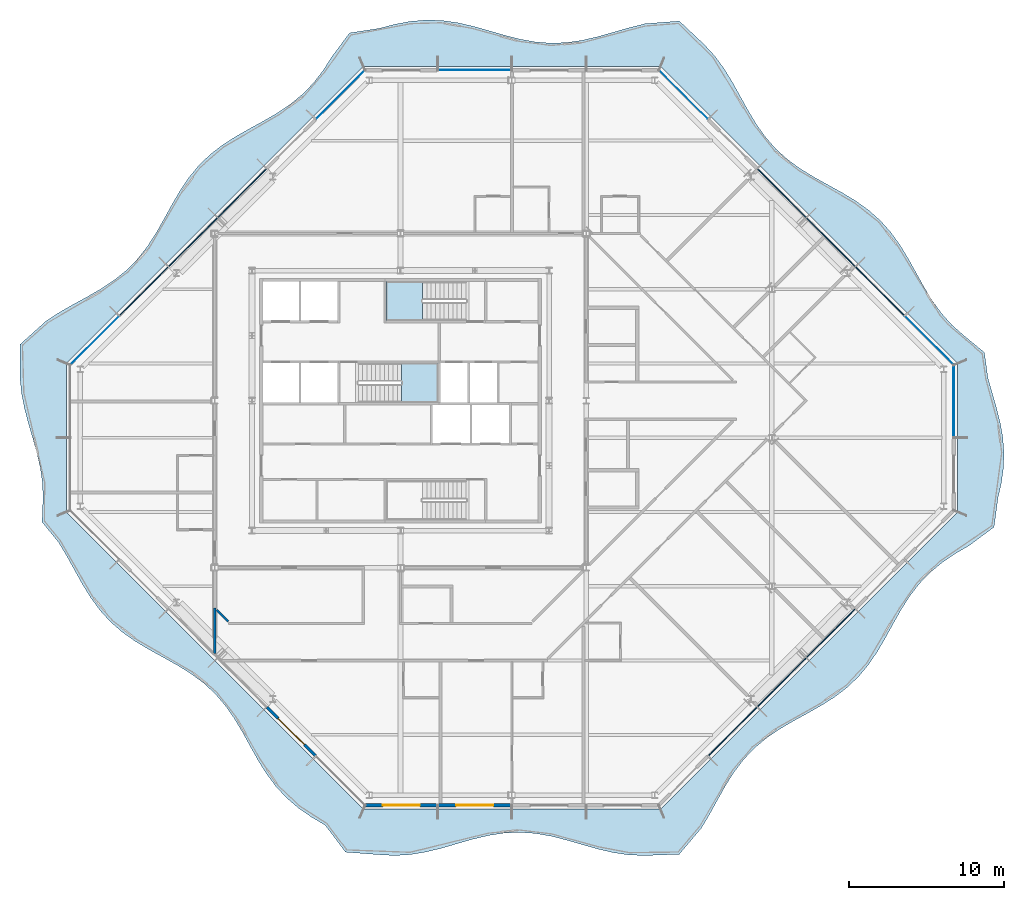
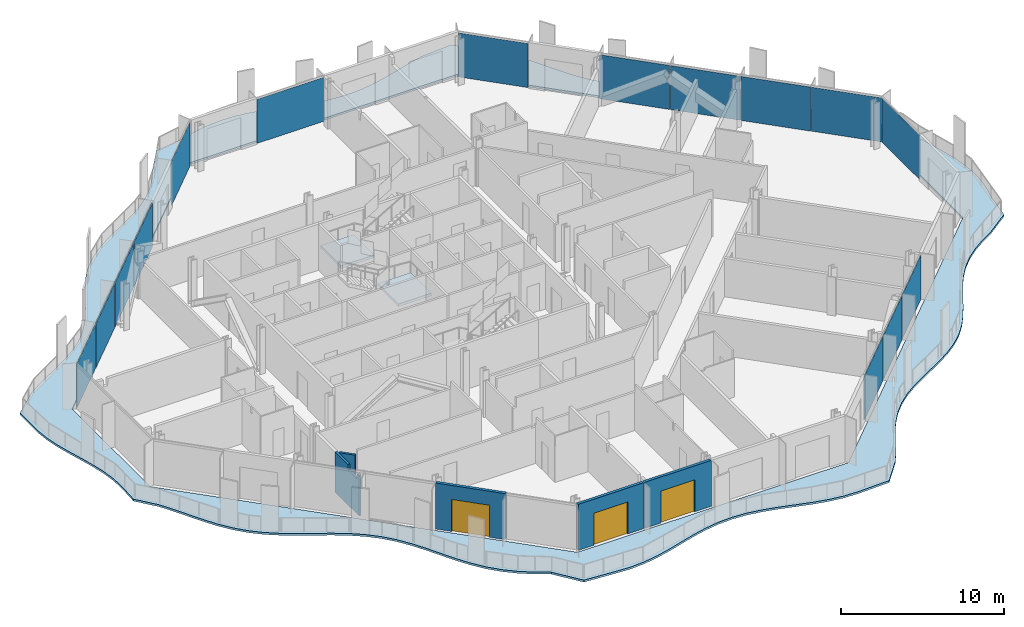
# One storey, part 6 of 17: 15 plates, 5 walls, 3 doors, 3 slabs, 3 openings, 7 elements without a shape of their own.
"""IFC4 building model written with IfcOpenShell, lengths in metres."""

from ifc_helpers import new_model, si_unit, direction, frame, frame_2d, origin, origin_2d, place, context, subcontext, project, spatial, polyline, rectangle, outline, extrude, material, layer, layer_set, type_object, element, fill, aggregate, save


model = new_model("IFC4")

# Units and contexts
model_context = context("Model", 3, precision=1e-05, world=origin(), true_north=direction((0.0, 1.0)))
body_context = subcontext(model_context, "Body", "Model", "MODEL_VIEW")
ifc_project = project(units=[si_unit("LENGTHUNIT", "METRE"), si_unit("AREAUNIT", "SQUARE_METRE"), si_unit("VOLUMEUNIT", "CUBIC_METRE"), si_unit("PLANEANGLEUNIT", "RADIAN"), si_unit("MASSUNIT", "GRAM", prefix="KILO")], contexts=[model_context])

# Site, building, storey
site_placement = place(None, origin())
site = spatial("IfcSite", under=ifc_project, at=site_placement, CompositionType="ELEMENT")
building_placement = place(site_placement, origin())
building = spatial("IfcBuilding", under=site, at=building_placement, Name="Cairn Pilgrim Tower", CompositionType="ELEMENT")
storey_placement = place(building_placement, frame((0.0, 0.0, 225.0)))
storey = spatial("IfcBuildingStorey", under=building, at=storey_placement, Name="L57", CompositionType="ELEMENT", Elevation=225.0)

# Slab
ifc_material_1 = material(Name="Concrete C35/45", Category="concrete")
ifc_layer_1 = layer(ifc_material_1, 0.14990234375)
ifc_layer_set_1 = layer_set([ifc_layer_1], Name="BALCONY SLAB 150 CONCRETE C35/45")
slab_type_1 = type_object("IfcSlabType", Name="BALCONY SLAB 150 CONCRETE C35/45", PredefinedType="FLOOR", material=ifc_layer_set_1)
slab_1_placement = place(storey_placement, frame((0.0, 0.0, -0.14990234375)))
element("IfcSlab", 1, at=slab_1_placement, inside=storey, type_object=slab_type_1, Name="Balcony slab BS-1", PredefinedType="FLOOR", context=body_context, shape_type="SweptSolid", body=[
    extrude(outline(polyline([(2.335205078125, -25.04248046875), (3.6484375, -26.7802734375), (5.810546875, -26.944091796875), (6.821044921875, -27.0), (7.83154296875, -26.939208984375), (8.842041015625, -26.771484375), (9.8525390625, -26.522705078125), (10.863037109375, -26.2314453125), (11.873779296875, -25.943115234375), (12.88427734375, -25.702392578125), (13.894775390625, -25.546875), (14.9052734375, -25.500732421875), (15.915771484375, -25.57080078125), (16.92626953125, -25.74658203125), (17.936767578125, -26.000732421875), (18.947265625, -26.29345703125), (19.9580078125, -26.579345703125), (20.968505859375, -26.814208984375), (21.97900390625, -26.96142578125), (22.989501953125, -26.998046875), (25.208740234375, -26.918212890625), (26.6455078125, -25.223388671875), (27.1748046875, -24.330322265625), (27.67919921875, -23.41259765625), (28.1904296875, -22.501708984375), (28.739501953125, -21.62841796875), (29.35107421875, -20.81787109375), (30.040771484375, -20.085205078125), (30.811767578125, -19.433837890625), (31.65478515625, -18.854736328125), (32.549560546875, -18.3271484375), (33.4677734375, -17.8232421875), (34.377685546875, -17.31103515625), (35.24853515625, -16.759521484375), (36.0556640625, -16.144775390625), (36.78466796875, -15.451416015625), (37.432373046875, -14.6767578125), (38.0087890625, -13.8310546875), (38.53466796875, -12.9345703125), (39.0380859375, -12.015869140625), (39.5517578125, -11.107177734375), (40.10546875, -10.23876953125), (40.7236328125, -9.434814453125), (41.420654296875, -8.70947265625), (42.19873046875, -8.0654296875), (43.04736328125, -7.49169921875), (43.9453125, -6.967529296875), (45.5537109375, -5.77490234375), (45.81982421875, -3.840087890625), (46.033935546875, -2.8798828125), (46.166259765625, -1.919921875), (46.19775390625, -0.9599609375), (46.12451171875, 0.0), (45.956298828125, 0.9599609375), (45.717041015625, 1.919921875), (45.4404296875, 2.8798828125), (45.1650390625, 3.840087890625), (44.9296875, 5.516357421875), (43.59326171875, 6.615478515625), (42.83837890625, 7.282958984375), (42.165283203125, 8.031982421875), (41.56787109375, 8.85693359375), (41.02880859375, 9.739990234375), (40.521484375, 10.655029296875), (40.0146484375, 11.5703125), (39.476806640625, 12.45458984375), (38.88134765625, 13.28125), (38.210205078125, 14.032470703125), (37.45751953125, 14.701904296875), (36.629638671875, 15.296142578125), (35.744384765625, 15.833251953125), (34.82861328125, 16.33984375), (33.9140625, 16.847412109375), (33.031982421875, 17.387451171875), (32.208251953125, 17.986083984375), (31.460693359375, 18.660888671875), (30.794921875, 19.4169921875), (30.20361328125, 20.248046875), (29.668701171875, 21.13525390625), (29.16259765625, 22.051513671875), (28.654296875, 22.96533203125), (28.112060546875, 23.845458984375), (27.51025390625, 24.666015625), (26.83203125, 25.409912109375), (25.2138671875, 26.930419921875), (22.989501953125, 26.755615234375), (21.97900390625, 26.502197265625), (20.968505859375, 26.20947265625), (19.9580078125, 25.92333984375), (18.947265625, 25.687744140625), (17.936767578125, 25.53955078125), (16.92626953125, 25.501953125), (15.915771484375, 25.580322265625), (14.9052734375, 25.762939453125), (13.894775390625, 26.021240234375), (12.88427734375, 26.315185546875), (11.873779296875, 26.598876953125), (10.863037109375, 26.828369140625), (9.8525390625, 26.968017578125), (8.842041015625, 26.99609375), (7.83154296875, 26.907958984375), (6.821044921875, 26.7177734375), (5.810546875, 26.454833984375), (3.9052734375, 26.16015625), (2.759033203125, 24.61865234375), (2.20556640625, 23.75), (1.58740234375, 22.946044921875), (0.890380859375, 22.220703125), (0.112548828125, 21.576171875), (-0.73583984375, 21.00244140625), (-1.634033203125, 20.478271484375), (-2.552734375, 19.97509765625), (-3.46044921875, 19.46044921875), (-4.326416015625, 18.904296875), (-5.127197265625, 18.282958984375), (-5.848876953125, 17.582275390625), (-6.48974609375, 16.801025390625), (-7.060791015625, 15.94970703125), (-7.583251953125, 15.050048828125), (-8.08642578125, 14.131103515625), (-8.602294921875, 13.224609375), (-9.160888671875, 12.361083984375), (-9.785888671875, 11.5634765625), (-10.489990234375, 10.845703125), (-11.27490234375, 10.208251953125), (-12.12890625, 9.639892578125), (-13.030029296875, 9.118896484375), (-13.94921875, 8.615966796875), (-14.854248046875, 8.0986328125), (-15.71533203125, 7.53759765625), (-17.383056640625, 6.03564453125), (-17.389892578125, 3.840087890625), (-17.292724609375, 2.8798828125), (-17.105224609375, 1.919921875), (-16.85400390625, 0.9599609375), (-16.573974609375, 0.0), (-16.3046875, -0.9599609375), (-16.083740234375, -1.919921875), (-15.9423828125, -2.8798828125), (-15.900634765625, -3.840087890625), (-15.9638671875, -5.44775390625), (-14.91455078125, -6.73681640625), (-14.37939453125, -7.623779296875), (-13.87353515625, -8.5400390625), (-13.364990234375, -9.453857421875), (-12.822998046875, -10.334228515625), (-12.221435546875, -11.15478515625), (-11.543212890625, -11.898681640625), (-10.783447265625, -12.56103515625), (-9.949462890625, -13.1494140625), (-9.060546875, -13.6826171875), (-8.1435546875, -14.18798828125), (-7.230712890625, -14.697265625), (-6.3525390625, -15.241455078125), (-5.53515625, -15.84619140625), (-4.794921875, -16.528076171875), (-4.135986328125, -17.29150390625), (-3.550537109375, -18.12841796875), (-3.019287109375, -19.019287109375), (-2.514404296875, -19.936767578125), (-2.00439453125, -20.848876953125), (-1.457763671875, -21.724609375), (-0.849853515625, -22.538818359375), (-0.164306640625, -23.275390625), (0.6025390625, -23.9306640625), (1.4423828125, -24.51318359375), (2.335205078125, -25.04248046875)]), holes=[polyline([(24.0, -24.0), (4.800048828125, -24.0), (-14.39990234375, -4.800048828125), (-14.39990234375, 4.800048828125), (4.800048828125, 24.0), (24.0, 24.0), (43.199951171875, 4.800048828125), (43.199951171875, -4.800048828125), (24.0, -24.0)])]), origin(), (0.0, 0.0, 1.0), 0.14990234375),
])

# Curtain wall, plates
ifc_material_2 = material(Name="Aluminium alloy 6063-T6 bronze anodised with Bronze tinted laminated low-E glass 8+16+8.8", Category="aluminium")
curtain_wall_type_1 = type_object("IfcCurtainWallType", Name="CHAMFER CORNER CURTAIN WALL", PredefinedType="NOTDEFINED", material=ifc_material_2)
curtain_wall_1_placement = place(storey_placement, origin())
curtain_wall_1 = element("IfcCurtainWall", 2, at=curtain_wall_1_placement, inside=storey, type_object=curtain_wall_type_1, Name="Chamfer Corner Curtain Wall SE", PredefinedType="NOTDEFINED")
ifc_material_3 = material(Name="Bronze anodised aluminium spandrel panel with mineral wool insulation", Category="aluminium")
ifc_layer_2 = layer(ifc_material_3, 0.06005859375)
ifc_layer_set_2 = layer_set([ifc_layer_2], Name="SPANDREL PANEL 4431x3300")
plate_type_1 = type_object("IfcPlateType", Name="SPANDREL PANEL 4431x3300", PredefinedType="CURTAIN_PANEL", material=ifc_layer_set_2)
plate_1_placement = place(storey_placement, frame((28.659912109375, -18.986572265625, 0.0), z_axis=(0.0, 0.0, 1.0), x_axis=(0.707106781187, 0.707106781187, 0.0)))
plate_1 = element("IfcPlate", 3, at=plate_1_placement, type_object=plate_type_1, Name="Spandrel Panel SE2-1", PredefinedType="CURTAIN_PANEL", context=body_context, shape_type="SweptSolid", body=[
    extrude(rectangle(XDim=4.430908203125, YDim=0.06005859375, at=origin_2d()), origin(), (0.0, 0.0, 1.0), 3.300048828125),
])
plate_2_placement = place(storey_placement, frame((31.83544921875, -15.81103515625, 0.0), z_axis=(0.0, 0.0, 1.0), x_axis=(0.707106781187, 0.707106781187, 0.0)))
plate_2 = element("IfcPlate", 4, at=plate_2_placement, type_object=plate_type_1, Name="Spandrel Panel SE3-1", PredefinedType="CURTAIN_PANEL", context=body_context, shape_type="SweptSolid", body=[
    extrude(rectangle(XDim=4.430908203125, YDim=0.06005859375, at=origin_2d()), origin(), (0.0, 0.0, 1.0), 3.300048828125),
])
plate_3_placement = place(storey_placement, frame((35.010986328125, -12.635498046875, 0.0), z_axis=(0.0, 0.0, 1.0), x_axis=(0.707106781187, 0.707106781187, 0.0)))
plate_3 = element("IfcPlate", 5, at=plate_3_placement, type_object=plate_type_1, Name="Spandrel Panel SE4-1", PredefinedType="CURTAIN_PANEL", context=body_context, shape_type="SweptSolid", body=[
    extrude(rectangle(XDim=4.430908203125, YDim=0.06005859375, at=origin_2d()), origin(), (0.0, 0.0, 1.0), 3.300048828125),
])
aggregate(curtain_wall_1, [plate_1, plate_2, plate_3])

curtain_wall_2_placement = place(storey_placement, origin())
curtain_wall_2 = element("IfcCurtainWall", 6, at=curtain_wall_2_placement, inside=storey, type_object=curtain_wall_type_1, Name="Chamfer Corner Curtain Wall NE", PredefinedType="NOTDEFINED")
plate_4_placement = place(storey_placement, frame((38.1865234375, 9.459716796875, 0.0), z_axis=(0.0, 0.0, 1.0), x_axis=(-0.707106781187, 0.707106781187, 0.0)))
plate_4 = element("IfcPlate", 7, at=plate_4_placement, type_object=plate_type_1, Name="Spandrel Panel NE2-1", PredefinedType="CURTAIN_PANEL", context=body_context, shape_type="SweptSolid", body=[
    extrude(rectangle(XDim=4.430908203125, YDim=0.06005859375, at=origin_2d()), origin(), (0.0, 0.0, 1.0), 3.300048828125),
])
plate_5_placement = place(storey_placement, frame((35.010986328125, 12.635498046875, 0.0), z_axis=(0.0, 0.0, 1.0), x_axis=(-0.707106781187, 0.707106781187, 0.0)))
plate_5 = element("IfcPlate", 8, at=plate_5_placement, type_object=plate_type_1, Name="Spandrel Panel NE3-1", PredefinedType="CURTAIN_PANEL", context=body_context, shape_type="SweptSolid", body=[
    extrude(rectangle(XDim=4.430908203125, YDim=0.06005859375, at=origin_2d()), origin(), (0.0, 0.0, 1.0), 3.300048828125),
])
plate_6_placement = place(storey_placement, frame((31.83544921875, 15.81103515625, 0.0), z_axis=(0.0, 0.0, 1.0), x_axis=(-0.707106781187, 0.707106781187, 0.0)))
plate_6 = element("IfcPlate", 9, at=plate_6_placement, type_object=plate_type_1, Name="Spandrel Panel NE4-1", PredefinedType="CURTAIN_PANEL", context=body_context, shape_type="SweptSolid", body=[
    extrude(rectangle(XDim=4.430908203125, YDim=0.06005859375, at=origin_2d()), origin(), (0.0, 0.0, 1.0), 3.300048828125),
])

curtain_wall_3_placement = place(storey_placement, origin())
curtain_wall_3 = element("IfcCurtainWall", 10, at=curtain_wall_3_placement, inside=storey, type_object=curtain_wall_type_1, Name="Chamfer Corner Curtain Wall NW", PredefinedType="NOTDEFINED")
plate_7_placement = place(storey_placement, frame((-3.035400390625, 15.81103515625, 0.0), z_axis=(0.0, 0.0, 1.0), x_axis=(-0.707106781187, -0.707106781187, 0.0)))
plate_7 = element("IfcPlate", 11, at=plate_7_placement, type_object=plate_type_1, Name="Spandrel Panel NW3-1", PredefinedType="CURTAIN_PANEL", context=body_context, shape_type="SweptSolid", body=[
    extrude(rectangle(XDim=4.430908203125, YDim=0.06005859375, at=origin_2d()), origin(), (0.0, 0.0, 1.0), 3.300048828125),
])
plate_8_placement = place(storey_placement, frame((-6.2109375, 12.635498046875, 0.0), z_axis=(0.0, 0.0, 1.0), x_axis=(-0.707106781187, -0.707106781187, 0.0)))
plate_8 = element("IfcPlate", 12, at=plate_8_placement, type_object=plate_type_1, Name="Spandrel Panel NW4-1", PredefinedType="CURTAIN_PANEL", context=body_context, shape_type="SweptSolid", body=[
    extrude(rectangle(XDim=4.430908203125, YDim=0.06005859375, at=origin_2d()), origin(), (0.0, 0.0, 1.0), 3.300048828125),
])
plate_9_placement = place(storey_placement, frame((-9.38671875, 9.459716796875, 0.0), z_axis=(0.0, 0.0, 1.0), x_axis=(-0.707106781187, -0.707106781187, 0.0)))
plate_9 = element("IfcPlate", 13, at=plate_9_placement, type_object=plate_type_1, Name="Spandrel Panel NW5-1", PredefinedType="CURTAIN_PANEL", context=body_context, shape_type="SweptSolid", body=[
    extrude(rectangle(XDim=4.430908203125, YDim=0.06005859375, at=origin_2d()), origin(), (0.0, 0.0, 1.0), 3.300048828125),
])

# Stair, slab
ifc_material_4 = material(Name="Concrete C32/40", Category="concrete")
stair_type = type_object("IfcStairType", Name="EXIT STAIR 1200", PredefinedType="HALF_TURN_STAIR", material=ifc_material_4)
stair_1_placement = place(storey_placement, origin())
stair_1 = element("IfcStair", 14, at=stair_1_placement, inside=storey, type_object=stair_type, Name="L57 Exit Stair B", PredefinedType="HALF_TURN_STAIR")
ifc_layer_3 = layer(ifc_material_4, 0.199951171875)
ifc_layer_set_3 = layer_set([ifc_layer_3], Name="STAIR LANDING 200")
slab_type_2 = type_object("IfcSlabType", Name="STAIR LANDING 200", PredefinedType="LANDING", material=ifc_layer_set_3)
slab_2_placement = place(storey_placement, frame((0.0, 0.0, 1.60009765625)))
slab_2 = element("IfcSlab", 15, at=slab_2_placement, type_object=slab_type_2, Name="ST-B landing 1", PredefinedType="LANDING", context=body_context, shape_type="SweptSolid", body=[
    extrude(outline(polyline([(7.27490234375, 2.27490234375), (9.625, 2.27490234375), (9.625, 4.824951171875), (7.27490234375, 4.824951171875), (7.27490234375, 2.27490234375)])), origin(), (0.0, 0.0, 1.0), 0.199951171875),
])
aggregate(stair_1, [slab_2])

stair_2_placement = place(storey_placement, origin())
stair_2 = element("IfcStair", 16, at=stair_2_placement, inside=storey, type_object=stair_type, Name="L57 Exit Stair C", PredefinedType="HALF_TURN_STAIR")
slab_3_placement = place(storey_placement, frame((0.0, 0.0, 1.60009765625)))
slab_3 = element("IfcSlab", 17, at=slab_3_placement, type_object=slab_type_2, Name="ST-C landing 1", PredefinedType="LANDING", context=body_context, shape_type="SweptSolid", body=[
    extrude(outline(polyline([(8.625, 10.10009765625), (6.27490234375, 10.10009765625), (6.27490234375, 7.574951171875), (8.625, 7.574951171875), (8.625, 10.10009765625)])), origin(), (0.0, 0.0, 1.0), 0.199951171875),
])
aggregate(stair_2, [slab_3])

# Plate
ifc_material_5 = material(Name="Bronze tinted laminated low-E glass 8+16+8.8", Category="glass")
ifc_layer_4 = layer(ifc_material_5, 0.033935546875)
ifc_layer_set_4 = layer_set([ifc_layer_4], Name="VISION GLAZING 4421x3300")
plate_type_2 = type_object("IfcPlateType", Name="VISION GLAZING 4421x3300", PredefinedType="CURTAIN_PANEL", material=ifc_layer_set_4)
plate_10_placement = place(storey_placement, frame((41.358642578125, 6.287841796875, 0.0), z_axis=(0.0, 0.0, 1.0), x_axis=(-0.707106781187, 0.707106781187, 0.0)))
plate_10 = element("IfcPlate", 18, at=plate_10_placement, type_object=plate_type_2, Name="Vision Glazing NE1-1", PredefinedType="CURTAIN_PANEL", context=body_context, shape_type="SweptSolid", body=[
    extrude(rectangle(XDim=4.4208984375, YDim=0.033935546875, at=origin_2d()), origin(), (0.0, 0.0, 1.0), 3.300048828125),
])

plate_11_placement = place(storey_placement, frame((25.48779296875, 22.15869140625, 0.0), z_axis=(0.0, 0.0, 1.0), x_axis=(-0.707106781187, 0.707106781187, 0.0)))
plate_11 = element("IfcPlate", 19, at=plate_11_placement, type_object=plate_type_2, Name="Vision Glazing NE6-1", PredefinedType="CURTAIN_PANEL", context=body_context, shape_type="SweptSolid", body=[
    extrude(rectangle(XDim=4.4208984375, YDim=0.033935546875, at=origin_2d()), origin(), (0.0, 0.0, 1.0), 3.300048828125),
])

aggregate(curtain_wall_2, [plate_10, plate_4, plate_5, plate_6, plate_11])

plate_12_placement = place(storey_placement, frame((3.312255859375, 22.15869140625, 0.0), z_axis=(0.0, 0.0, 1.0), x_axis=(-0.707106781187, -0.707106781187, 0.0)))
plate_12 = element("IfcPlate", 20, at=plate_12_placement, type_object=plate_type_2, Name="Vision Glazing NW1-1", PredefinedType="CURTAIN_PANEL", context=body_context, shape_type="SweptSolid", body=[
    extrude(rectangle(XDim=4.4208984375, YDim=0.033935546875, at=origin_2d()), origin(), (0.0, 0.0, 1.0), 3.300048828125),
])

plate_13_placement = place(storey_placement, frame((-12.55859375, 6.287841796875, 0.0), z_axis=(0.0, 0.0, 1.0), x_axis=(-0.707106781187, -0.707106781187, 0.0)))
plate_13 = element("IfcPlate", 21, at=plate_13_placement, type_object=plate_type_2, Name="Vision Glazing NW6-1", PredefinedType="CURTAIN_PANEL", context=body_context, shape_type="SweptSolid", body=[
    extrude(rectangle(XDim=4.4208984375, YDim=0.033935546875, at=origin_2d()), origin(), (0.0, 0.0, 1.0), 3.300048828125),
])

aggregate(curtain_wall_3, [plate_12, plate_7, plate_8, plate_9, plate_13])

# Curtain wall, plate
curtain_wall_type_2 = type_object("IfcCurtainWallType", Name="TOWER STICK CURTAIN WALL EW", PredefinedType="NOTDEFINED", material=ifc_material_2)
curtain_wall_4_placement = place(storey_placement, origin())
curtain_wall_4 = element("IfcCurtainWall", 22, at=curtain_wall_4_placement, inside=storey, type_object=curtain_wall_type_2, Name="Tower Stick Curtain Wall Ew E", PredefinedType="NOTDEFINED")
ifc_layer_5 = layer(ifc_material_5, 0.033935546875)
ifc_layer_set_5 = layer_set([ifc_layer_5], Name="VISION GLAZING 4626x3300")
plate_type_3 = type_object("IfcPlateType", Name="VISION GLAZING 4626x3300", PredefinedType="CURTAIN_PANEL", material=ifc_layer_set_5)
plate_14_placement = place(storey_placement, frame((42.949951171875, 2.34326171875, 0.0), z_axis=(0.0, 0.0, 1.0), x_axis=(0.0, 1.0, 0.0)))
plate_14 = element("IfcPlate", 23, at=plate_14_placement, type_object=plate_type_3, Name="Vision Glazing E2-1", PredefinedType="CURTAIN_PANEL", context=body_context, shape_type="SweptSolid", body=[
    extrude(rectangle(XDim=4.62646484375, YDim=0.033935546875, at=origin_2d()), origin(), (0.0, 0.0, 1.0), 3.300048828125),
])
aggregate(curtain_wall_4, [plate_14])

curtain_wall_type_3 = type_object("IfcCurtainWallType", Name="TOWER STICK CURTAIN WALL NS", PredefinedType="NOTDEFINED", material=ifc_material_2)
curtain_wall_5_placement = place(storey_placement, origin())
curtain_wall_5 = element("IfcCurtainWall", 24, at=curtain_wall_5_placement, inside=storey, type_object=curtain_wall_type_3, Name="Tower Stick Curtain Wall Ns N", PredefinedType="NOTDEFINED")
ifc_layer_6 = layer(ifc_material_5, 0.033935546875)
ifc_layer_set_6 = layer_set([ifc_layer_6], Name="VISION GLAZING 4740x3300")
plate_type_4 = type_object("IfcPlateType", Name="VISION GLAZING 4740x3300", PredefinedType="CURTAIN_PANEL", material=ifc_layer_set_6)
plate_15_placement = place(storey_placement, frame((12.0, 23.75, 0.0), z_axis=(0.0, 0.0, 1.0), x_axis=(-1.0, 0.0, 0.0)))
plate_15 = element("IfcPlate", 25, at=plate_15_placement, type_object=plate_type_4, Name="Vision Glazing N3-1", PredefinedType="CURTAIN_PANEL", context=body_context, shape_type="SweptSolid", body=[
    extrude(rectangle(XDim=4.739990234375, YDim=0.033935546875, at=origin_2d()), origin(), (0.0, 0.0, 1.0), 3.300048828125),
])
aggregate(curtain_wall_5, [plate_15])

# Wall, opening, door
ifc_material_6 = material(Name="Bronze anodised aluminium insulated sandwich panel with mineral wool fill", Category="aluminium")
ifc_layer_7 = layer(ifc_material_6, 0.199951171875)
ifc_layer_set_7 = layer_set([ifc_layer_7], Name="BRONZE INFILL FRAME WALL 200")
wall_type_1 = type_object("IfcWallType", Name="BRONZE INFILL FRAME WALL 200", PredefinedType="NOTDEFINED", material=ifc_layer_set_7)
wall_1_placement = place(storey_placement, frame((4.943603515625, -23.75, 0.0), z_axis=(0.0, 0.0, 1.0), x_axis=(1.0, 0.0, 0.0)))
wall_1 = element("IfcWall", 26, at=wall_1_placement, inside=storey, type_object=wall_type_1, Name="Bronze infill frame wall IW-S1", PredefinedType="NOTDEFINED", context=body_context, shape_type="SweptSolid", body=[
    extrude(rectangle(XDim=4.62646484375, YDim=0.199951171875, at=frame_2d((2.313232421875, 0.0))), origin(), (0.0, 0.0, 1.0), 3.449951171875),
])
opening_1_placement = place(wall_1_placement, frame((1.1083984375, 0.0, 0.0)))
opening_1 = element("IfcOpeningElement", 27, at=opening_1_placement, cuts=wall_1, Name="Opening 5713B2", PredefinedType="OPENING", context=body_context, shape_type="SweptSolid", body=[
    extrude(rectangle(XDim=2.39990234375, YDim=2.39990234375, at=frame_2d((1.199951171875, 1.199951171875))), frame((0.0, 0.10986328125, 0.0), z_axis=(0.0, -1.0, 0.0), x_axis=(1.0, 0.0, 0.0)), (0.0, 0.0, 1.0), 0.219970703125),
])
ifc_material_7 = material(Name="Bronze anodised aluminium frame with tinted low-E glass", Category="aluminium")
door_type = type_object("IfcDoorType", Name="BALCONY SLIDING DOOR 2400x2400", OperationType="DOUBLE_DOOR_SLIDING", PredefinedType="DOOR", material=ifc_material_7)
door_1_placement = place(opening_1_placement, origin())
door_1 = element("IfcDoor", 28, at=door_1_placement, inside=storey, type_object=door_type, Name="Balcony sliding door 5713B2", OperationType="SINGLE_SWING_LEFT", OverallHeight=2.39990234375, OverallWidth=2.39990234375, PredefinedType="DOOR", context=body_context, shape_type="SweptSolid", body=[
    extrude(rectangle(XDim=2.39990234375, YDim=2.39990234375, at=frame_2d((1.199951171875, 1.199951171875))), frame((0.0, 0.02490234375, 0.0), z_axis=(0.0, -1.0, 0.0), x_axis=(1.0, 0.0, 0.0)), (0.0, 0.0, 1.0), 0.050048828125),
])
fill(opening_1, door_1)

wall_2_placement = place(storey_placement, frame((9.6298828125, -23.75, 0.0), z_axis=(0.0, 0.0, 1.0), x_axis=(1.0, 0.0, 0.0)))
wall_2 = element("IfcWall", 29, at=wall_2_placement, inside=storey, type_object=wall_type_1, Name="Bronze infill frame wall IW-S2", PredefinedType="NOTDEFINED", context=body_context, shape_type="SweptSolid", body=[
    extrude(rectangle(XDim=4.740234375, YDim=0.199951171875, at=frame_2d((2.3701171875, 0.0))), origin(), (0.0, 0.0, 1.0), 3.449951171875),
])
opening_2_placement = place(wall_2_placement, frame((1.17041015625, 0.0, 0.0)))
opening_2 = element("IfcOpeningElement", 30, at=opening_2_placement, cuts=wall_2, Name="Opening 5714B", PredefinedType="OPENING", context=body_context, shape_type="SweptSolid", body=[
    extrude(rectangle(XDim=2.39990234375, YDim=2.39990234375, at=frame_2d((1.199951171875, 1.199951171875))), frame((0.0, 0.10986328125, 0.0), z_axis=(0.0, -1.0, 0.0), x_axis=(1.0, 0.0, 0.0)), (0.0, 0.0, 1.0), 0.219970703125),
])
door_2_placement = place(opening_2_placement, origin())
door_2 = element("IfcDoor", 31, at=door_2_placement, inside=storey, type_object=door_type, Name="Balcony sliding door 5714B", OperationType="SINGLE_SWING_LEFT", OverallHeight=2.39990234375, OverallWidth=2.39990234375, PredefinedType="DOOR", context=body_context, shape_type="SweptSolid", body=[
    extrude(rectangle(XDim=2.39990234375, YDim=2.39990234375, at=frame_2d((1.199951171875, 1.199951171875))), frame((0.0, 0.02490234375, 0.0), z_axis=(0.0, -1.0, 0.0), x_axis=(1.0, 0.0, 0.0)), (0.0, 0.0, 1.0), 0.050048828125),
])
fill(opening_2, door_2)

wall_3_placement = place(storey_placement, frame((-1.426513671875, -17.419921875, 0.0), z_axis=(0.0, 0.0, 1.0), x_axis=(0.707106781187, -0.707106781187, 0.0)))
wall_3 = element("IfcWall", 32, at=wall_3_placement, inside=storey, type_object=wall_type_1, Name="Bronze infill frame wall IW-SW5", PredefinedType="NOTDEFINED", context=body_context, shape_type="SweptSolid", body=[
    extrude(rectangle(XDim=4.43115234375, YDim=0.199951171875, at=frame_2d((2.215576171875, 0.0))), origin(), (0.0, 0.0, 1.0), 3.449951171875),
])
opening_3_placement = place(wall_3_placement, frame((1.01513671875, 0.0, 0.0)))
opening_3 = element("IfcOpeningElement", 33, at=opening_3_placement, cuts=wall_3, Name="Opening 5713B", PredefinedType="OPENING", context=body_context, shape_type="SweptSolid", body=[
    extrude(rectangle(XDim=2.39990234375, YDim=2.39990234375, at=frame_2d((1.199951171875, 1.199951171875))), frame((0.0, 0.10986328125, 0.0), z_axis=(0.0, -1.0, 0.0), x_axis=(1.0, 0.0, 0.0)), (0.0, 0.0, 1.0), 0.219970703125),
])
door_3_placement = place(opening_3_placement, origin())
door_3 = element("IfcDoor", 34, at=door_3_placement, inside=storey, type_object=door_type, Name="Balcony sliding door 5713B", OperationType="SINGLE_SWING_LEFT", OverallHeight=2.39990234375, OverallWidth=2.39990234375, PredefinedType="DOOR", context=body_context, shape_type="SweptSolid", body=[
    extrude(rectangle(XDim=2.39990234375, YDim=2.39990234375, at=frame_2d((1.199951171875, 1.199951171875))), frame((0.0, 0.02490234375, 0.0), z_axis=(0.0, -1.0, 0.0), x_axis=(1.0, 0.0, 0.0)), (0.0, 0.0, 1.0), 0.050048828125),
])
fill(opening_3, door_3)

# Walls
ifc_material_8 = material(Name="Gypsum partition")
ifc_layer_8 = layer(ifc_material_8, 0.14990234375)
ifc_layer_set_8 = layer_set([ifc_layer_8], Name="PARTITION 150 DRYWALL EI 60")
wall_type_2 = type_object("IfcWallType", Name="PARTITION 150 DRYWALL EI 60", PredefinedType="PARTITIONING", material=ifc_layer_set_8)
wall_4_placement = place(storey_placement, frame((-4.800048828125, -13.926025390625, 0.0), z_axis=(0.0, 0.0, 1.0), x_axis=(0.0, 1.0, 0.0)))
element("IfcWall", 35, at=wall_4_placement, inside=storey, type_object=wall_type_2, Name="PARTITION W015", PredefinedType="PARTITIONING", context=body_context, shape_type="SweptSolid", body=[
    extrude(outline(polyline([(0.0, 0.0), (2.919921875, 0.0), (2.920166015625, 3.030029296875), (1.368896484375, 3.030029296875), (1.366943359375, 2.6298828125), (0.22900390625, 2.6298828125), (0.226806640625, 3.030029296875), (0.0, 3.030029296875), (0.0, 0.0)])), frame((0.0, 0.074951171875, 0.0), z_axis=(0.0, -1.0, 0.0), x_axis=(1.0, 0.0, 0.0)), (0.0, 0.0, 1.0), 0.14990234375),
])
wall_5_placement = place(storey_placement, frame((-3.93408203125, -11.8720703125, 0.0), z_axis=(0.0, 0.0, 1.0), x_axis=(-0.707106781187, 0.707106781187, 0.0)))
element("IfcWall", 36, at=wall_5_placement, inside=storey, type_object=wall_type_2, Name="PARTITION W020", PredefinedType="PARTITIONING", context=body_context, shape_type="SweptSolid", body=[
    extrude(rectangle(XDim=1.043701171875, YDim=0.14990234375, at=frame_2d((0.52197265625, 0.0))), origin(), (0.0, 0.0, 1.0), 3.030029296875),
])

save(model, "model.ifc")
